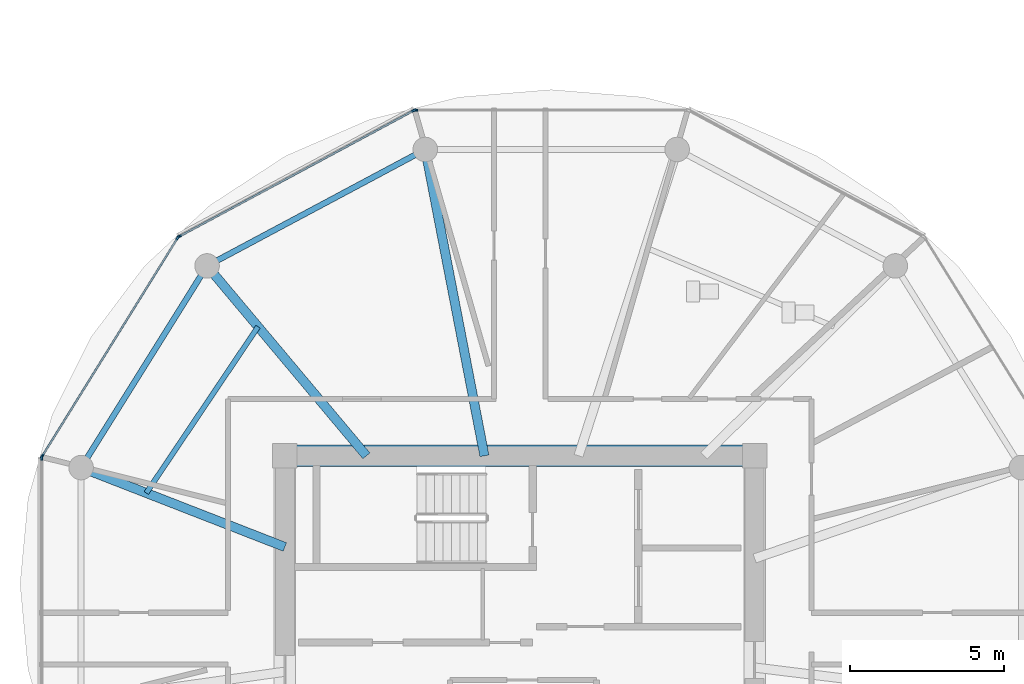
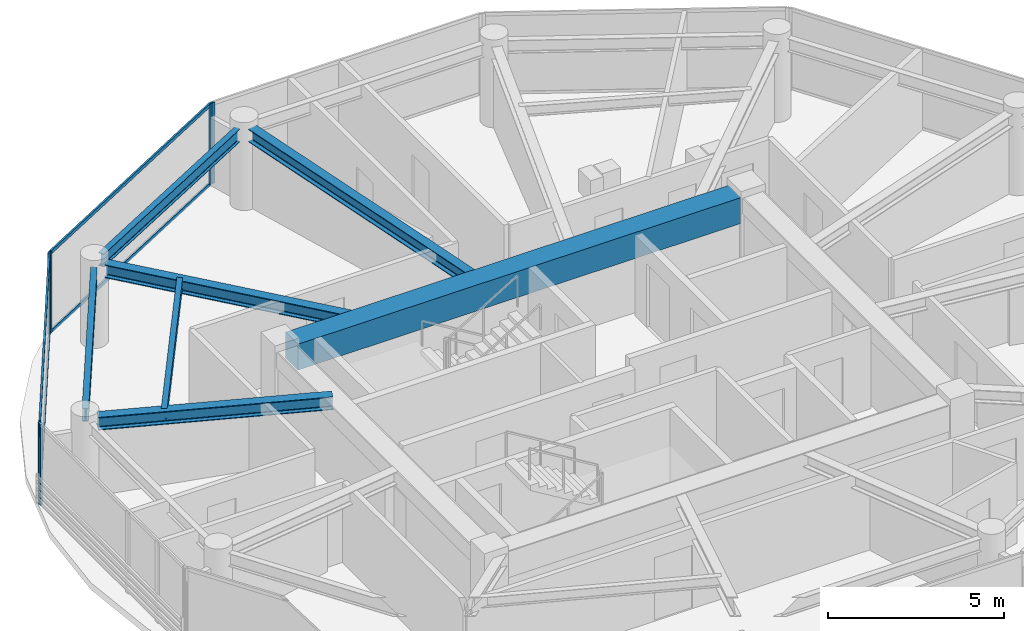
# One storey, part 4 of 23: 10 members, 7 beams, 4 elements without a shape of their own.
"""IFC4 building model written with IfcOpenShell, lengths in metres."""

from ifc_helpers import new_model, si_unit, direction, frame, origin, origin_2d, place, context, subcontext, project, spatial, rectangle, i_section, extrude, source, transform, mapped, material, layer, layer_set, material_profile, profile_set, type_object, type_shapes, element, aggregate, save


model = new_model("IFC4")

# Units and contexts
model_context = context("Model", 3, precision=1e-05, world=origin(), true_north=direction((0.0, 1.0)))
body_context = subcontext(model_context, "Body", "Model", "MODEL_VIEW")
ifc_project = project(units=[si_unit("LENGTHUNIT", "METRE"), si_unit("AREAUNIT", "SQUARE_METRE"), si_unit("VOLUMEUNIT", "CUBIC_METRE"), si_unit("PLANEANGLEUNIT", "RADIAN"), si_unit("MASSUNIT", "GRAM", prefix="KILO")], contexts=[model_context])

# Site, building, storey
site_placement = place(None, origin())
site = spatial("IfcSite", under=ifc_project, at=site_placement, CompositionType="ELEMENT")
building_placement = place(site_placement, origin())
building = spatial("IfcBuilding", under=site, at=building_placement, Name="Norrkilde Senior Care Towers", CompositionType="ELEMENT")
storey_placement = place(building_placement, frame((0.0, 0.0, 177.0)))
storey = spatial("IfcBuildingStorey", under=building, at=storey_placement, Name="L55", CompositionType="ELEMENT", Elevation=177.0)

# Beams
ifc_material_1 = material(Name="Concrete C60/75", Category="concrete")
ifc_material_profile_1 = material_profile(ifc_material_1, rectangle(XDim=0.699951171875, YDim=0.89990234375, at=origin_2d()), Name="RC BM 700x900")
ifc_profile_set_1 = profile_set([ifc_material_profile_1], Name="Concrete C60/75")
beam_type_1 = type_object("IfcBeamType", Name="Core Coupling Girder 700x900", PredefinedType="USERDEFINED", material=ifc_profile_set_1)
shared_shape_1 = source(origin(), body_context, "Body", "SweptSolid", [
    extrude(rectangle(XDim=0.699951171875, YDim=0.89990234375, at=origin_2d()), origin(), (0.0, 0.0, 1.0), 14.5400390625),
])
type_shapes(beam_type_1, [shared_shape_1])
beam_1_placement = place(storey_placement, frame((-35.27001953125, 5.949951171875, 2.360107421875), z_axis=(1.0, 0.0, 0.0), x_axis=(0.0, 1.0, 0.0)))
element("IfcBeam", 1, at=beam_1_placement, inside=storey, type_object=beam_type_1, Name="L55 Core W N Coupling Girder", ObjectType="GIRDER", PredefinedType="USERDEFINED", context=body_context, shape_type="MappedRepresentation", body=[
    mapped(shared_shape_1, transform((0.0, 0.0, 0.0), x_axis=(1.0, 0.0, 0.0), y_axis=(0.0, 1.0, 0.0), z_axis=(0.0, 0.0, 1.0), scale=1.0)),
])
ifc_material_2 = material(Name="Steel S355", Category="steel")
ifc_material_profile_2 = material_profile(ifc_material_2, i_section(OverallWidth=0.18994140625, OverallDepth=0.449951171875, WebThickness=0.009521484375, FlangeThickness=0.0146484375, FilletRadius=0.02099609375, at=origin_2d()), Name="IPE 450")
ifc_profile_set_2 = profile_set([ifc_material_profile_2], Name="Steel S355")
beam_type_2 = type_object("IfcBeamType", Name="Perimeter Ring Spandrel Z3 IPE450", PredefinedType="SPANDREL", material=ifc_profile_set_2)
shared_shape_2 = source(origin(), body_context, "Body", "SweptSolid", [
    extrude(i_section(OverallWidth=0.18994140625, OverallDepth=0.449951171875, WebThickness=0.009521484375, FlangeThickness=0.0146484375, FilletRadius=0.02099609375, at=origin_2d()), origin(), (0.0, 0.0, 1.0), 7.0234375),
])
beam_2_placement = place(storey_placement, frame((-38.373291015625, 11.8291015625, 2.5849609375), z_axis=(-0.529789577822, -0.848129119433, 0.0), x_axis=(0.848129119433, -0.529789577822, 0.0)))
element("IfcBeam", 2, at=beam_2_placement, inside=storey, type_object=beam_type_2, Name="L55 Drum W Perimeter Spandrel 05", PredefinedType="SPANDREL", context=body_context, shape_type="MappedRepresentation", body=[
    mapped(shared_shape_2, transform((0.0, 0.0, 0.0), x_axis=(1.0, 0.0, 0.0), y_axis=(0.0, 1.0, 0.0), z_axis=(0.0, 0.0, 1.0), scale=1.0)),
])
shared_shape_3 = source(origin(), body_context, "Body", "SweptSolid", [
    extrude(i_section(OverallWidth=0.18994140625, OverallDepth=0.449951171875, WebThickness=0.009521484375, FlangeThickness=0.0146484375, FilletRadius=0.02099609375, at=origin_2d()), origin(), (0.0, 0.0, 1.0), 7.333740234375),
])
type_shapes(beam_type_2, [shared_shape_2, shared_shape_3])
beam_3_placement = place(storey_placement, frame((-31.394775390625, 15.756591796875, 2.5849609375), z_axis=(-0.882247866069, -0.470785198172, 0.0), x_axis=(0.470785198172, -0.882247866069, 0.0)))
element("IfcBeam", 3, at=beam_3_placement, inside=storey, type_object=beam_type_2, Name="L55 Drum W Perimeter Spandrel 04", PredefinedType="SPANDREL", context=body_context, shape_type="MappedRepresentation", body=[
    mapped(shared_shape_3, transform((0.0, 0.0, 0.0), x_axis=(1.0, 0.0, 0.0), y_axis=(0.0, 1.0, 0.0), z_axis=(0.0, 0.0, 1.0), scale=1.0)),
])
ifc_material_profile_3 = material_profile(ifc_material_2, i_section(OverallWidth=0.300048828125, OverallDepth=0.449951171875, WebThickness=0.013916015625, FlangeThickness=0.02587890625, FilletRadius=0.027099609375, at=origin_2d()), Name="HEB 450")
ifc_profile_set_3 = profile_set([ifc_material_profile_3], Name="Steel S355")
beam_type_3 = type_object("IfcBeamType", Name="Radial Floor Beam Z3 HEB450", PredefinedType="BEAM", material=ifc_profile_set_3)
shared_shape_4 = source(origin(), body_context, "Body", "SweptSolid", [
    extrude(i_section(OverallWidth=0.300048828125, OverallDepth=0.449951171875, WebThickness=0.013916015625, FlangeThickness=0.02587890625, FilletRadius=0.027099609375, at=origin_2d()), origin(), (0.0, 0.0, 1.0), 9.80078125),
])
beam_4_placement = place(storey_placement, frame((-29.149658203125, 5.949951171875, 2.5849609375), z_axis=(-0.189716727661, 0.98183886827, 0.0), x_axis=(-0.98183886827, -0.189716727661, 0.0)))
element("IfcBeam", 4, at=beam_4_placement, inside=storey, type_object=beam_type_3, Name="L55 Drum W Radial Floor Beam 04", PredefinedType="BEAM", context=body_context, shape_type="MappedRepresentation", body=[
    mapped(shared_shape_4, transform((0.0, 0.0, 0.0), x_axis=(1.0, 0.0, 0.0), y_axis=(0.0, 1.0, 0.0), z_axis=(0.0, 0.0, 1.0), scale=1.0)),
])
shared_shape_5 = source(origin(), body_context, "Body", "SweptSolid", [
    extrude(i_section(OverallWidth=0.300048828125, OverallDepth=0.449951171875, WebThickness=0.013916015625, FlangeThickness=0.02587890625, FilletRadius=0.027099609375, at=origin_2d()), origin(), (0.0, 0.0, 1.0), 7.71337890625),
])
beam_5_placement = place(storey_placement, frame((-32.992919921875, 5.949951171875, 2.5849609375), z_axis=(-0.642808239864, 0.766027131872, 0.0), x_axis=(-0.766027131872, -0.642808239864, 0.0)))
element("IfcBeam", 5, at=beam_5_placement, inside=storey, type_object=beam_type_3, Name="L55 Drum W Radial Floor Beam 05", PredefinedType="BEAM", context=body_context, shape_type="MappedRepresentation", body=[
    mapped(shared_shape_5, transform((0.0, 0.0, 0.0), x_axis=(1.0, 0.0, 0.0), y_axis=(0.0, 1.0, 0.0), z_axis=(0.0, 0.0, 1.0), scale=1.0)),
])
shared_shape_6 = source(origin(), body_context, "Body", "SweptSolid", [
    extrude(i_section(OverallWidth=0.300048828125, OverallDepth=0.449951171875, WebThickness=0.013916015625, FlangeThickness=0.02587890625, FilletRadius=0.027099609375, at=origin_2d()), origin(), (0.0, 0.0, 1.0), 6.760986328125),
])
type_shapes(beam_type_3, [shared_shape_4, shared_shape_5, shared_shape_6])
beam_6_placement = place(storey_placement, frame((-35.64990234375, 2.981201171875, 2.5849609375), z_axis=(-0.931742171387, 0.363120539297, 0.0), x_axis=(-0.363120539297, -0.931742171387, 0.0)))
element("IfcBeam", 6, at=beam_6_placement, inside=storey, type_object=beam_type_3, Name="L55 Drum W Radial Floor Beam 06", PredefinedType="BEAM", context=body_context, shape_type="MappedRepresentation", body=[
    mapped(shared_shape_6, transform((0.0, 0.0, 0.0), x_axis=(1.0, 0.0, 0.0), y_axis=(0.0, 1.0, 0.0), z_axis=(0.0, 0.0, 1.0), scale=1.0)),
])
ifc_material_profile_4 = material_profile(ifc_material_2, i_section(OverallWidth=0.169921875, OverallDepth=0.360107421875, WebThickness=0.008056640625, FlangeThickness=0.0126953125, FilletRadius=0.01806640625, at=origin_2d()), Name="IPE 360")
ifc_profile_set_4 = profile_set([ifc_material_profile_4], Name="Steel S355")
beam_type_4 = type_object("IfcBeamType", Name="Secondary Floor Joist IPE360", PredefinedType="JOIST", material=ifc_profile_set_4)
shared_shape_7 = source(origin(), body_context, "Body", "SweptSolid", [
    extrude(i_section(OverallWidth=0.169921875, OverallDepth=0.360107421875, WebThickness=0.008056640625, FlangeThickness=0.0126953125, FilletRadius=0.01806640625, at=origin_2d()), origin(), (0.0, 0.0, 1.0), 6.525390625),
])
type_shapes(beam_type_4, [shared_shape_7])
beam_7_placement = place(storey_placement, frame((-36.52197265625, 10.155517578125, 2.6298828125), z_axis=(-0.55779590102, -0.829978152005, 0.0), x_axis=(0.829978152005, -0.55779590102, 0.0)))
element("IfcBeam", 7, at=beam_7_placement, inside=storey, type_object=beam_type_4, Name="L55 Drum W Secondary Floor Joist 2", PredefinedType="JOIST", context=body_context, shape_type="MappedRepresentation", body=[
    mapped(shared_shape_7, transform((0.0, 0.0, 0.0), x_axis=(1.0, 0.0, 0.0), y_axis=(0.0, 1.0, 0.0), z_axis=(0.0, 0.0, 1.0), scale=1.0)),
])

# Curtain wall, member
ifc_material_3 = material(Name="Triple Low-E Insulated Glazing", Category="glass")
ifc_layer = layer(ifc_material_3, 0.18994140625)
ifc_layer_set = layer_set([ifc_layer], Name="Triple Low-E Insulated Glazing")
curtain_wall_type = type_object("IfcCurtainWallType", Name="CW4 Zone 3 Senior Residence Curtain Wall", PredefinedType="NOTDEFINED", material=ifc_layer_set)
curtain_wall_1_placement = place(storey_placement, origin())
curtain_wall_1 = element("IfcCurtainWall", 8, at=curtain_wall_1_placement, inside=storey, type_object=curtain_wall_type, Name="L55 Drum W Curtain Wall 02", PredefinedType="NOTDEFINED")
ifc_material_4 = material(Name="Anodised Aluminium", Category="aluminium")
ifc_material_profile_5 = material_profile(ifc_material_4, rectangle(XDim=0.06494140625, YDim=0.14990234375, at=origin_2d()), Name="ALU MULL 65x150")
ifc_profile_set_5 = profile_set([ifc_material_profile_5], Name="Anodised Aluminium")
member_type_1 = type_object("IfcMemberType", Name="Curtain Wall Mullion Z3-Z4 65x150", PredefinedType="MULLION", material=ifc_profile_set_5)
shared_shape_8 = source(origin(), body_context, "Body", "SweptSolid", [
    extrude(rectangle(XDim=0.06494140625, YDim=0.14990234375, at=origin_2d()), origin(), (0.0, 0.0, 1.0), 2.81005859375),
])
type_shapes(member_type_1, [shared_shape_8])
member_1_placement = place(storey_placement, frame((-31.388916015625, 17.2109375, 0.0), z_axis=(0.0, 0.0, 1.0), x_axis=(0.0, 1.0, 0.0)))
member_1 = element("IfcMember", 9, at=member_1_placement, type_object=member_type_1, Name="CW-4 mullion 1", PredefinedType="MULLION", context=body_context, shape_type="MappedRepresentation", body=[
    mapped(shared_shape_8, transform((0.0, 0.0, 0.0), x_axis=(1.0, 0.0, 0.0), y_axis=(0.0, 1.0, 0.0), z_axis=(0.0, 0.0, 1.0), scale=1.0)),
])
aggregate(curtain_wall_1, [member_1])

# Curtain wall, members
curtain_wall_2_placement = place(storey_placement, origin())
curtain_wall_2 = element("IfcCurtainWall", 10, at=curtain_wall_2_placement, inside=storey, type_object=curtain_wall_type, Name="L55 Drum W Curtain Wall 03", PredefinedType="NOTDEFINED")
member_2_placement = place(storey_placement, frame((-39.094482421875, 13.09033203125, 0.0), z_axis=(0.0, 0.0, 1.0), x_axis=(-0.47311715104, 0.880999524059, 0.0)))
member_2 = element("IfcMember", 11, at=member_2_placement, type_object=member_type_1, Name="CW-4 mullion 1", PredefinedType="MULLION", context=body_context, shape_type="MappedRepresentation", body=[
    mapped(shared_shape_8, transform((0.0, 0.0, 0.0), x_axis=(1.0, 0.0, 0.0), y_axis=(0.0, 1.0, 0.0), z_axis=(0.0, 0.0, 1.0), scale=1.0)),
])
member_3_placement = place(storey_placement, frame((-31.4501953125, 17.195556640625, 0.0), z_axis=(0.0, 0.0, 1.0), x_axis=(-0.47311715104, 0.880999524059, 0.0)))
member_3 = element("IfcMember", 12, at=member_3_placement, type_object=member_type_1, Name="CW-4 mullion 2", PredefinedType="MULLION", context=body_context, shape_type="MappedRepresentation", body=[
    mapped(shared_shape_8, transform((0.0, 0.0, 0.0), x_axis=(1.0, 0.0, 0.0), y_axis=(0.0, 1.0, 0.0), z_axis=(0.0, 0.0, 1.0), scale=1.0)),
])

curtain_wall_3_placement = place(storey_placement, origin())
curtain_wall_3 = element("IfcCurtainWall", 13, at=curtain_wall_3_placement, inside=storey, type_object=curtain_wall_type, Name="L55 Drum W Curtain Wall 04", PredefinedType="NOTDEFINED")
member_4_placement = place(storey_placement, frame((-43.552490234375, 5.93896484375, 0.0), z_axis=(0.0, 0.0, 1.0), x_axis=(-0.84963405474, 0.52737270789, 0.0)))
member_4 = element("IfcMember", 14, at=member_4_placement, type_object=member_type_1, Name="CW-4 mullion 1", PredefinedType="MULLION", context=body_context, shape_type="MappedRepresentation", body=[
    mapped(shared_shape_8, transform((0.0, 0.0, 0.0), x_axis=(1.0, 0.0, 0.0), y_axis=(0.0, 1.0, 0.0), z_axis=(0.0, 0.0, 1.0), scale=1.0)),
])
member_5_placement = place(storey_placement, frame((-39.14013671875, 13.04736328125, 0.0), z_axis=(0.0, 0.0, 1.0), x_axis=(-0.84963405474, 0.52737270789, 0.0)))
member_5 = element("IfcMember", 15, at=member_5_placement, type_object=member_type_1, Name="CW-4 mullion 2", PredefinedType="MULLION", context=body_context, shape_type="MappedRepresentation", body=[
    mapped(shared_shape_8, transform((0.0, 0.0, 0.0), x_axis=(1.0, 0.0, 0.0), y_axis=(0.0, 1.0, 0.0), z_axis=(0.0, 0.0, 1.0), scale=1.0)),
])

# Curtain wall, member
curtain_wall_4_placement = place(storey_placement, origin())
curtain_wall_4 = element("IfcCurtainWall", 16, at=curtain_wall_4_placement, inside=storey, type_object=curtain_wall_type, Name="L55 Drum W Curtain Wall 05", PredefinedType="NOTDEFINED")
member_6_placement = place(storey_placement, frame((-43.569580078125, 5.878662109375, 0.0), z_axis=(0.0, 0.0, 1.0), x_axis=(-1.0, 0.0, 0.0)))
member_6 = element("IfcMember", 17, at=member_6_placement, type_object=member_type_1, Name="CW-4 mullion 2", PredefinedType="MULLION", context=body_context, shape_type="MappedRepresentation", body=[
    mapped(shared_shape_8, transform((0.0, 0.0, 0.0), x_axis=(1.0, 0.0, 0.0), y_axis=(0.0, 1.0, 0.0), z_axis=(0.0, 0.0, 1.0), scale=1.0)),
])
aggregate(curtain_wall_4, [member_6])

# Member
ifc_material_profile_6 = material_profile(ifc_material_4, rectangle(XDim=0.06005859375, YDim=0.1201171875, at=origin_2d()), Name="ALU TRAN 60x120")
ifc_profile_set_6 = profile_set([ifc_material_profile_6], Name="Anodised Aluminium")
member_type_2 = type_object("IfcMemberType", Name="Curtain Wall Transom Typical 60x120", PredefinedType="USERDEFINED", material=ifc_profile_set_6)
shared_shape_9 = source(origin(), body_context, "Body", "SweptSolid", [
    extrude(rectangle(XDim=0.06005859375, YDim=0.1201171875, at=origin_2d()), origin(), (0.0, 0.0, 1.0), 8.301513671875),
])
member_7_placement = place(storey_placement, frame((-43.535400390625, 5.966552734375, 0.030029296875), z_axis=(0.527368718394, 0.849636531029, 0.0), x_axis=(-0.849636531029, 0.527368718394, 0.0)))
member_7 = element("IfcMember", 18, at=member_7_placement, type_object=member_type_2, Name="CW-4 transom 1.1", ObjectType="TRANSOM", PredefinedType="USERDEFINED", context=body_context, shape_type="MappedRepresentation", body=[
    mapped(shared_shape_9, transform((0.0, 0.0, 0.0), x_axis=(1.0, 0.0, 0.0), y_axis=(0.0, 1.0, 0.0), z_axis=(0.0, 0.0, 1.0), scale=1.0)),
])

member_8_placement = place(storey_placement, frame((-43.535400390625, 5.966552734375, 2.780029296875), z_axis=(0.527368718394, 0.849636531029, 0.0), x_axis=(-0.849636531029, 0.527368718394, 0.0)))
member_8 = element("IfcMember", 19, at=member_8_placement, type_object=member_type_2, Name="CW-4 transom 1.2", ObjectType="TRANSOM", PredefinedType="USERDEFINED", context=body_context, shape_type="MappedRepresentation", body=[
    mapped(shared_shape_9, transform((0.0, 0.0, 0.0), x_axis=(1.0, 0.0, 0.0), y_axis=(0.0, 1.0, 0.0), z_axis=(0.0, 0.0, 1.0), scale=1.0)),
])

aggregate(curtain_wall_3, [member_4, member_5, member_7, member_8])

shared_shape_10 = source(origin(), body_context, "Body", "SweptSolid", [
    extrude(rectangle(XDim=0.06005859375, YDim=0.1201171875, at=origin_2d()), origin(), (0.0, 0.0, 1.0), 8.612060546875),
])
type_shapes(member_type_2, [shared_shape_9, shared_shape_10])
member_9_placement = place(storey_placement, frame((-39.06591796875, 13.105712890625, 0.030029296875), z_axis=(0.881000337462, 0.473115636384, 0.0), x_axis=(-0.473115636384, 0.881000337462, 0.0)))
member_9 = element("IfcMember", 20, at=member_9_placement, type_object=member_type_2, Name="CW-4 transom 1.1", ObjectType="TRANSOM", PredefinedType="USERDEFINED", context=body_context, shape_type="MappedRepresentation", body=[
    mapped(shared_shape_10, transform((0.0, 0.0, 0.0), x_axis=(1.0, 0.0, 0.0), y_axis=(0.0, 1.0, 0.0), z_axis=(0.0, 0.0, 1.0), scale=1.0)),
])

member_10_placement = place(storey_placement, frame((-39.06591796875, 13.105712890625, 2.780029296875), z_axis=(0.881000337462, 0.473115636384, 0.0), x_axis=(-0.473115636384, 0.881000337462, 0.0)))
member_10 = element("IfcMember", 21, at=member_10_placement, type_object=member_type_2, Name="CW-4 transom 1.2", ObjectType="TRANSOM", PredefinedType="USERDEFINED", context=body_context, shape_type="MappedRepresentation", body=[
    mapped(shared_shape_10, transform((0.0, 0.0, 0.0), x_axis=(1.0, 0.0, 0.0), y_axis=(0.0, 1.0, 0.0), z_axis=(0.0, 0.0, 1.0), scale=1.0)),
])

aggregate(curtain_wall_2, [member_2, member_3, member_9, member_10])

save(model, "model.ifc")
